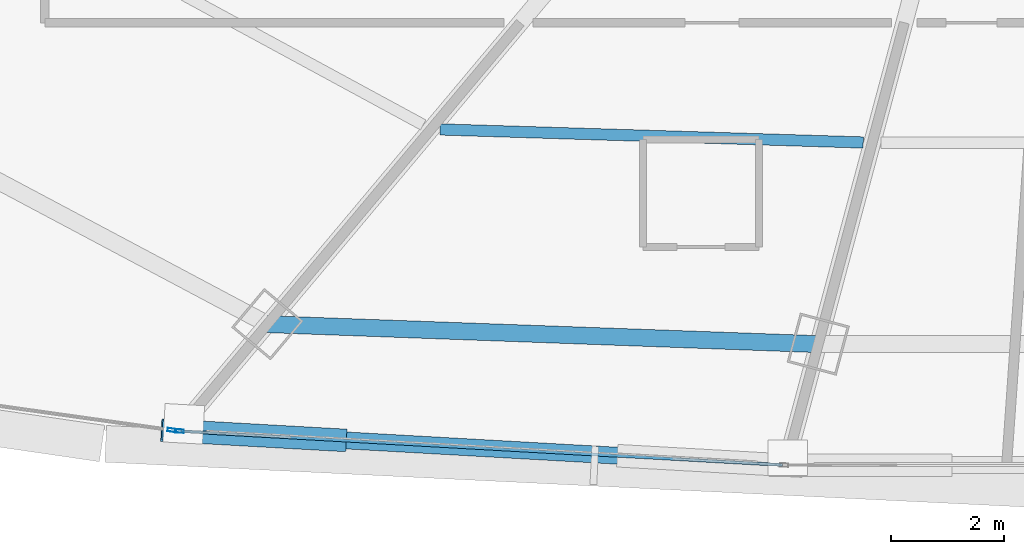
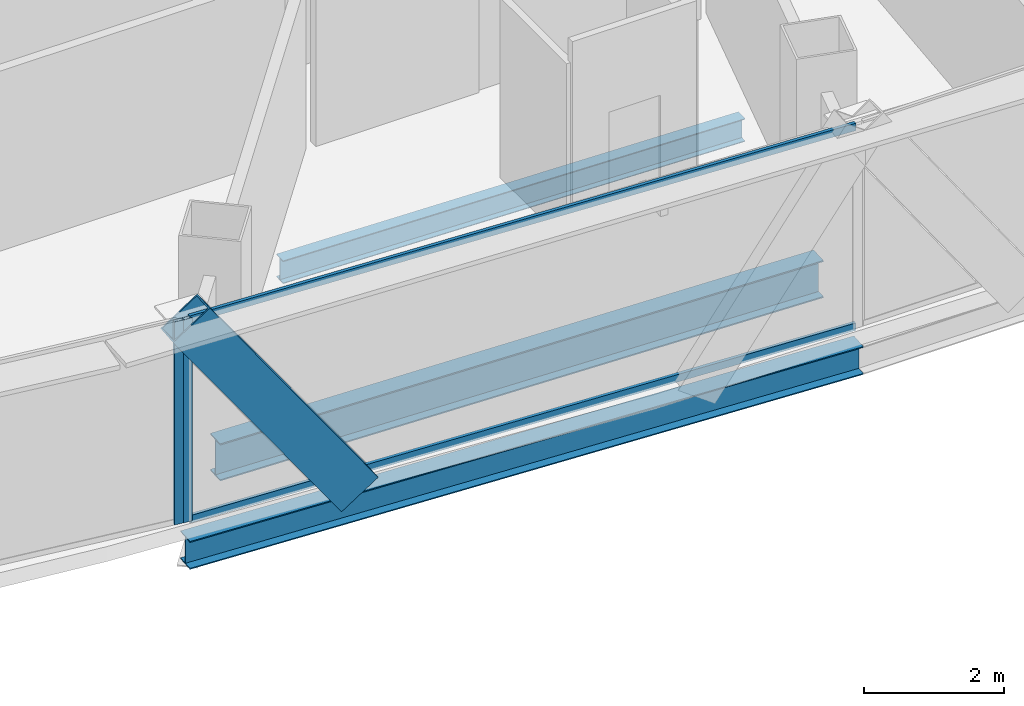
# One storey, part 6 of 40: 5 members, 3 beams, 2 elements without a shape of their own.
"""IFC4 building model written with IfcOpenShell, lengths in metres."""

from ifc_helpers import new_model, si_unit, direction, frame, origin, origin_2d, place, context, subcontext, project, spatial, hollow_rectangle, i_section, extrude, source, transform, mapped, material, layer, layer_set, material_profile, profile_set, type_object, element, aggregate, save


model = new_model("IFC4")

# Units and contexts
model_context = context("Model", 3, precision=1e-05, world=origin(), true_north=direction((0.0, 1.0)))
body_context = subcontext(model_context, "Body", "Model", "MODEL_VIEW")
ifc_project = project(units=[si_unit("LENGTHUNIT", "METRE"), si_unit("AREAUNIT", "SQUARE_METRE"), si_unit("VOLUMEUNIT", "CUBIC_METRE"), si_unit("PLANEANGLEUNIT", "RADIAN"), si_unit("MASSUNIT", "GRAM", prefix="KILO"), si_unit("THERMODYNAMICTEMPERATUREUNIT", "KELVIN"), si_unit("POWERUNIT", "WATT")], contexts=[model_context])

# Site, building, storey
site_placement = place(None, origin())
site = spatial("IfcSite", under=ifc_project, at=site_placement, CompositionType="ELEMENT")
building_placement = place(site_placement, origin())
building = spatial("IfcBuilding", under=site, at=building_placement, Name="Yunzhuo Pagoda Commons", CompositionType="ELEMENT")
storey_placement = place(building_placement, frame((0.0, 0.0, 188.56005859375)))
storey = spatial("IfcBuildingStorey", under=building, at=storey_placement, Name="L47", CompositionType="ELEMENT", Elevation=188.56005859375)

# Beams
ifc_material_1 = material(Name="Structural steel Q355B", Category="steel")
ifc_material_profile_1 = material_profile(ifc_material_1, i_section(OverallWidth=0.300048828125, OverallDepth=0.488037109375, WebThickness=0.010986328125, FlangeThickness=0.01806640625, at=origin_2d()), Name="Structural steel Q355B")
ifc_profile_set_1 = profile_set([ifc_material_profile_1], Name="Structural steel Q355B")
beam_type_1 = type_object("IfcBeamType", Name="B-SP1 Beam HM 488x300x11x18", PredefinedType="BEAM", material=ifc_profile_set_1)
shared_shape_1 = source(origin(), body_context, "Body", "SweptSolid", [
    extrude(i_section(OverallWidth=0.300048828125, OverallDepth=0.488037109375, WebThickness=0.010986328125, FlangeThickness=0.01806640625, at=origin_2d()), origin(), (0.0, 0.0, 1.0), 10.77783203125),
])
beam_1_placement = place(storey_placement, frame((31.95263671875, 14.57568359375, -0.504150390625), z_axis=(0.998422062391, -0.056155011631, 0.0), x_axis=(0.056155011631, 0.998422062391, 0.0)))
element("IfcBeam", 1, at=beam_1_placement, inside=storey, type_object=beam_type_1, Name="L47 facade edge spandrel beam F1.1", PredefinedType="BEAM", context=body_context, shape_type="MappedRepresentation", body=[
    mapped(shared_shape_1, transform((0.0, 0.0, 0.0), scale=1.0)),
])
ifc_material_profile_2 = material_profile(ifc_material_1, i_section(OverallWidth=0.300048828125, OverallDepth=0.64990234375, WebThickness=0.012939453125, FlangeThickness=0.02197265625, at=origin_2d()), Name="Structural steel Q355B")
ifc_profile_set_2 = profile_set([ifc_material_profile_2], Name="Structural steel Q355B")
beam_type_2 = type_object("IfcBeamType", Name="B-RG2 Beam HN 650x300x13x22", PredefinedType="BEAM", material=ifc_profile_set_2)
shared_shape_2 = source(origin(), body_context, "Body", "SweptSolid", [
    extrude(i_section(OverallWidth=0.300048828125, OverallDepth=0.64990234375, WebThickness=0.012939453125, FlangeThickness=0.02197265625, at=origin_2d()), origin(), (0.0, 0.0, 1.0), 9.755126953125),
])
beam_2_placement = place(storey_placement, frame((33.538818359375, 16.4658203125, -0.5849609375), z_axis=(0.999343161351, -0.036238734258, 0.0), x_axis=(0.036238734258, 0.999343161351, 0.0)))
element("IfcBeam", 2, at=beam_2_placement, inside=storey, type_object=beam_type_2, Name="L47 column-ring beam 1", PredefinedType="BEAM", context=body_context, shape_type="MappedRepresentation", body=[
    mapped(shared_shape_2, transform((0.0, 0.0, 0.0), scale=1.0)),
])
ifc_material_profile_3 = material_profile(ifc_material_1, i_section(OverallWidth=0.199951171875, OverallDepth=0.39990234375, WebThickness=0.008056640625, FlangeThickness=0.012939453125, at=origin_2d()), Name="Structural steel Q355B")
ifc_profile_set_3 = profile_set([ifc_material_profile_3], Name="Structural steel Q355B")
beam_type_3 = type_object("IfcBeamType", Name="B-JS1 Joist HN 400x200x8x13", PredefinedType="JOIST", material=ifc_profile_set_3)
shared_shape_3 = source(origin(), body_context, "Body", "SweptSolid", [
    extrude(i_section(OverallWidth=0.199951171875, OverallDepth=0.39990234375, WebThickness=0.008056640625, FlangeThickness=0.012939453125, at=origin_2d()), origin(), (0.0, 0.0, 1.0), 7.49365234375),
])
beam_3_placement = place(storey_placement, frame((36.593505859375, 19.911865234375, -0.4599609375), z_axis=(0.99952593018, -0.030788226605, 0.0), x_axis=(0.030788226605, 0.99952593018, 0.0)))
element("IfcBeam", 3, at=beam_3_placement, inside=storey, type_object=beam_type_3, Name="L47 composite ring joist 2.1", PredefinedType="JOIST", context=body_context, shape_type="MappedRepresentation", body=[
    mapped(shared_shape_3, transform((0.0, 0.0, 0.0), scale=1.0)),
])

# Member
ifc_material_profile_4 = material_profile(ifc_material_1, hollow_rectangle(XDim=0.39990234375, YDim=0.719970703125, WallThickness=0.02392578125, at=origin_2d()), Name="Structural steel Q355B")
ifc_profile_set_4 = profile_set([ifc_material_profile_4], Name="Structural steel Q355B")
member_type_1 = type_object("IfcMemberType", Name="M-DL2 Brace BOX 720x400x24", PredefinedType="BRACE", material=ifc_profile_set_4)
shared_shape_4 = source(origin(), body_context, "Body", "SweptSolid", [
    extrude(hollow_rectangle(XDim=0.39990234375, YDim=0.719970703125, WallThickness=0.02392578125, at=origin_2d()), origin(), (0.0, 0.0, 1.0), 4.658447265625),
])
member_1_placement = place(storey_placement, frame((34.642822265625, 14.42431640625, -0.260009765625), z_axis=(-0.577495429788, 0.032493617068, 0.815747015578), x_axis=(-0.056177592441, -0.998420792105, 0.0)))
element("IfcMember", 4, at=member_1_placement, inside=storey, type_object=member_type_1, Name="L47 facade diamond brace F1.1L", PredefinedType="BRACE", context=body_context, shape_type="MappedRepresentation", body=[
    mapped(shared_shape_4, transform((0.0, 0.0, 0.0), scale=1.0)),
])

# Curtain wall, member
ifc_material_2 = material(Name="Anodized aluminium 6063-T6", Category="aluminium")
ifc_layer = layer(ifc_material_2, 0.14990234375)
ifc_layer_set = layer_set([ifc_layer], Name="Anodized aluminium 6063-T6")
curtain_wall_type = type_object("IfcCurtainWallType", Name="CW-MID Mid-Zone Ribbon Curtain Wall", PredefinedType="NOTDEFINED", material=ifc_layer_set)
curtain_wall_1_placement = place(storey_placement, origin())
curtain_wall_1 = element("IfcCurtainWall", 5, at=curtain_wall_1_placement, inside=storey, type_object=curtain_wall_type, Name="L47 curtain wall CW-L47-F1B2", PredefinedType="NOTDEFINED")
ifc_material_profile_5 = material_profile(ifc_material_2, hollow_rectangle(XDim=0.06005859375, YDim=0.14990234375, WallThickness=0.00390625, at=origin_2d()), Name="Anodized aluminium 6063-T6")
ifc_profile_set_5 = profile_set([ifc_material_profile_5], Name="Anodized aluminium 6063-T6")
member_type_2 = type_object("IfcMemberType", Name="CW-MID-M Mullion RHS 150x60x4", PredefinedType="MULLION", material=ifc_profile_set_5)
shared_shape_5 = source(origin(), body_context, "Body", "SweptSolid", [
    extrude(hollow_rectangle(XDim=0.06005859375, YDim=0.14990234375, WallThickness=0.00390625, at=origin_2d()), origin(), (0.0, 0.0, 1.0), 3.5400390625),
])
member_2_placement = place(storey_placement, frame((31.982666015625, 14.573974609375, 0.0), z_axis=(0.0, 0.0, 1.0), x_axis=(0.056142665584, 0.998422756702, 0.0)))
member_2 = element("IfcMember", 6, at=member_2_placement, type_object=member_type_2, Name="CW mullion 1", PredefinedType="MULLION", context=body_context, shape_type="MappedRepresentation", body=[
    mapped(shared_shape_5, transform((0.0, 0.0, 0.0), scale=1.0)),
])

curtain_wall_2_placement = place(storey_placement, origin())
curtain_wall_2 = element("IfcCurtainWall", 7, at=curtain_wall_2_placement, inside=storey, type_object=curtain_wall_type, Name="L47 curtain wall CW-L47-F1B1", PredefinedType="NOTDEFINED")
member_3_placement = place(storey_placement, frame((31.8486328125, 14.590087890625, 0.0), z_axis=(0.0, 0.0, 1.0), x_axis=(0.139233100351, 0.990259634524, 0.0)))
member_3 = element("IfcMember", 8, at=member_3_placement, type_object=member_type_2, Name="CW mullion 2", PredefinedType="MULLION", context=body_context, shape_type="MappedRepresentation", body=[
    mapped(shared_shape_5, transform((0.0, 0.0, 0.0), scale=1.0)),
])
aggregate(curtain_wall_2, [member_3])

# Member
ifc_material_profile_6 = material_profile(ifc_material_2, hollow_rectangle(XDim=0.054931640625, YDim=0.1298828125, WallThickness=0.00341796875, at=origin_2d()), Name="Anodized aluminium 6063-T6")
ifc_profile_set_6 = profile_set([ifc_material_profile_6], Name="Anodized aluminium 6063-T6")
member_type_3 = type_object("IfcMemberType", Name="CW-MID-T Transom RHS 130x55x3.5", PredefinedType="USERDEFINED", material=ifc_profile_set_6)
shared_shape_6 = source(origin(), body_context, "Body", "SweptSolid", [
    extrude(hollow_rectangle(XDim=0.054931640625, YDim=0.1298828125, WallThickness=0.00341796875, at=origin_2d()), origin(), (0.0, 0.0, 1.0), 10.658203125),
])
member_4_placement = place(storey_placement, frame((32.012451171875, 14.572265625, 0.02734375), z_axis=(0.998422700359, -0.056143667575, 0.0), x_axis=(0.056143667575, 0.998422700359, 0.0)))
member_4 = element("IfcMember", 9, at=member_4_placement, type_object=member_type_3, Name="CW transom 1.1", ObjectType="TRANSOM", PredefinedType="USERDEFINED", context=body_context, shape_type="MappedRepresentation", body=[
    mapped(shared_shape_6, transform((0.0, 0.0, 0.0), scale=1.0)),
])

member_5_placement = place(storey_placement, frame((32.012451171875, 14.572265625, 3.512451171875), z_axis=(0.998422700359, -0.056143667575, 0.0), x_axis=(0.056143667575, 0.998422700359, 0.0)))
member_5 = element("IfcMember", 10, at=member_5_placement, type_object=member_type_3, Name="CW transom 1.2", ObjectType="TRANSOM", PredefinedType="USERDEFINED", context=body_context, shape_type="MappedRepresentation", body=[
    mapped(shared_shape_6, transform((0.0, 0.0, 0.0), scale=1.0)),
])

aggregate(curtain_wall_1, [member_2, member_4, member_5])

save(model, "model.ifc")
